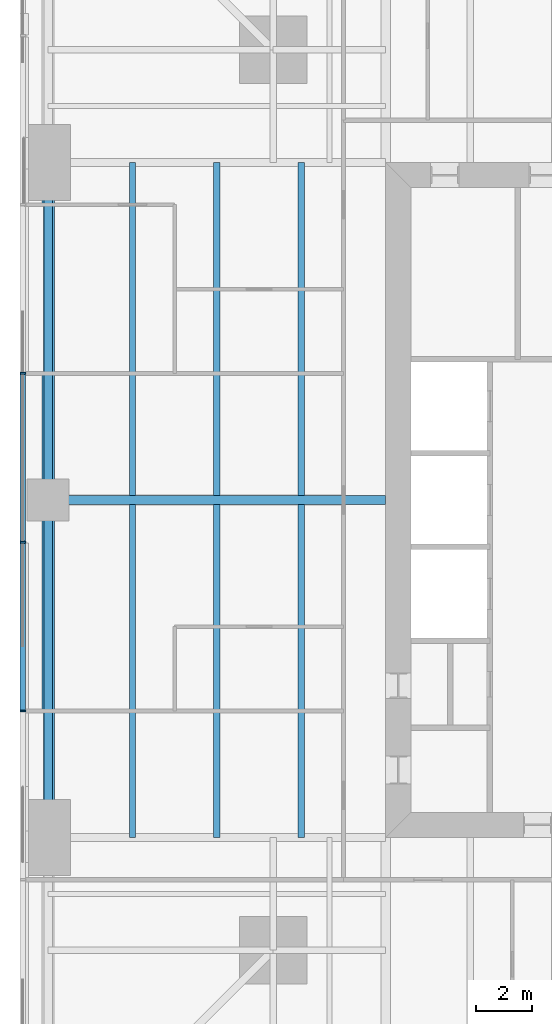
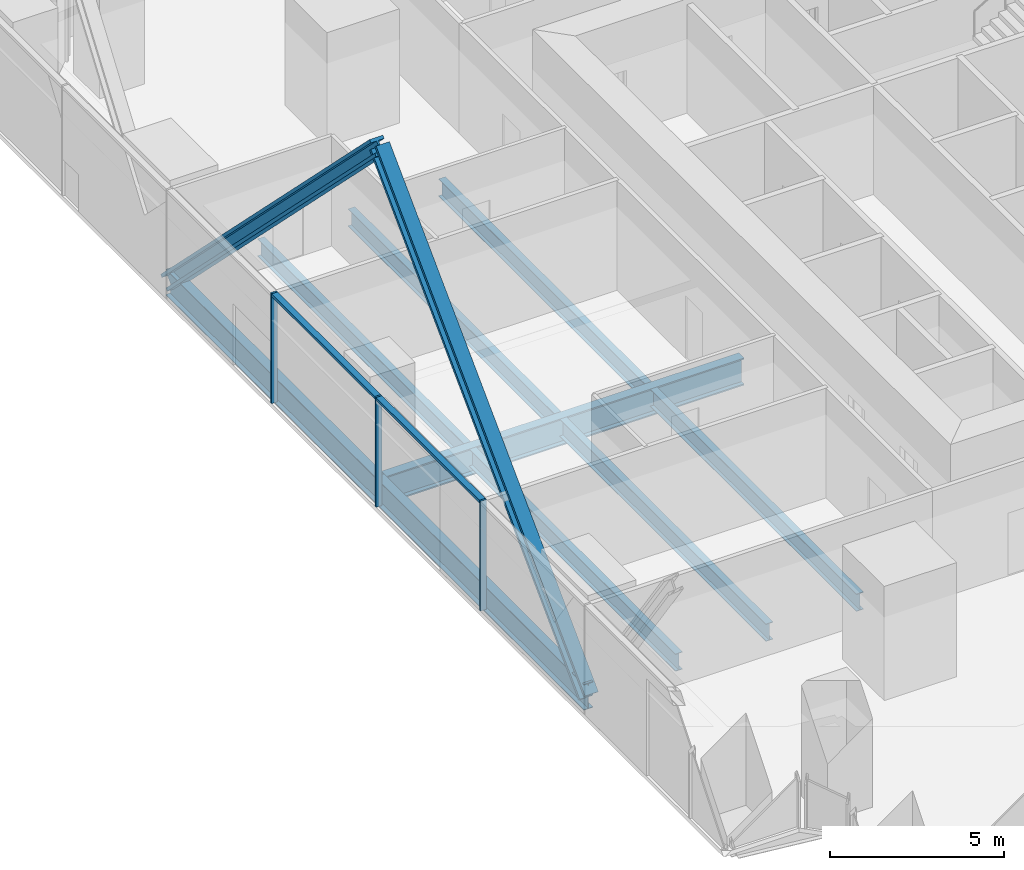
# One storey, part 4 of 13: 9 beams, 7 members, 1 element without a shape of its own.
"""IFC4 building model written with IfcOpenShell, lengths in metres."""

import ifcopenshell
import ifcopenshell.guid

model = None  # the IFC model being written
_history = None  # IfcOwnerHistory: only IFC2X3 demands one
_inside = {}  # id of a spatial element -> (the spatial element, [elements in it])
_under = {}  # id of a project, library or spatial element -> (it, [spatial elements below it])
_declared = {}  # id of a project -> (the project, [libraries it declares])
_typed = {}  # id of a type object -> (the type object, [elements of that type])
_made_of = {}  # id of a material, layer set ... -> (it, [elements and type objects made of it])


def new_model(schema):
    """Start an empty IFC model of exactly this schema.

    Asked for "IFC4X3", IfcOpenShell would pick the latest addendum, in which some entities
    have other attributes; the version numbers below select the first issue.
    IFC2X3 requires an IfcOwnerHistory on every rooted entity: one is made here for all.
    """
    global model, _history
    if schema == "IFC4X3":
        model = ifcopenshell.file(schema_version=(4, 3, 0, 0))
    else:
        model = ifcopenshell.file(schema=schema)
    _inside.clear()
    _under.clear()
    _declared.clear()
    _typed.clear()
    _made_of.clear()
    _history = None
    if model.schema == "IFC2X3":
        org = make("IfcOrganization", Name="unknown")
        user = make(
            "IfcPersonAndOrganization",
            ThePerson=make("IfcPerson", FamilyName="unknown"),
            TheOrganization=org,
        )
        app = make(
            "IfcApplication",
            ApplicationDeveloper=org,
            Version="unknown",
            ApplicationFullName="unknown",
            ApplicationIdentifier="unknown",
        )
        _history = make(
            "IfcOwnerHistory",
            OwningUser=user,
            OwningApplication=app,
            ChangeAction="ADDED",
            CreationDate=0,
        )
    return model


def make(cls, **values):
    """One entity of the class cls with the attributes given. An attribute that is None is left unset."""
    return model.create_entity(
        cls, **{name: value for name, value in values.items() if value is not None}
    )


def rooted(cls, **values):
    """An entity with a GlobalId (a new one), such as an element, a storey or a relation."""
    return make(cls, GlobalId=ifcopenshell.guid.new(), OwnerHistory=_history, **values)


def si_unit(unit_type, name, prefix=None):
    """IfcSIUnit, for example si_unit("LENGTHUNIT", "METRE", prefix="MILLI")."""
    return make("IfcSIUnit", UnitType=unit_type, Prefix=prefix, Name=name)


def assignment(units):
    """IfcUnitAssignment: the units of a project."""
    return None if units is None else make("IfcUnitAssignment", Units=units)


def point(xyz):
    """IfcCartesianPoint."""
    return None if xyz is None else make("IfcCartesianPoint", Coordinates=xyz)


def direction(xyz):
    """IfcDirection."""
    return None if xyz is None else make("IfcDirection", DirectionRatios=xyz)


def frame(location, z_axis=None, x_axis=None):
    """IfcAxis2Placement3D, a coordinate frame: its origin and axes. An axis left out is left unset."""
    return make(
        "IfcAxis2Placement3D",
        Location=point(location),
        Axis=direction(z_axis),
        RefDirection=direction(x_axis),
    )


def frame_2d(location, x_axis=None):
    """IfcAxis2Placement2D, a coordinate frame in the plane: its origin and x axis."""
    return make(
        "IfcAxis2Placement2D", Location=point(location), RefDirection=direction(x_axis)
    )


def origin():
    """The frame at (0, 0, 0) with its axes left unset."""
    return frame((0.0, 0.0, 0.0))


def origin_2d():
    """The frame at (0, 0) in the plane with its x axis left unset."""
    return frame_2d((0.0, 0.0))


def place(relative_to, where):
    """IfcLocalPlacement: puts the frame where relative to a parent placement (None: the world)."""
    return make(
        "IfcLocalPlacement", PlacementRelTo=relative_to, RelativePlacement=where
    )


def context(
    kind, dimensions, precision=None, world=None, true_north=None, identifier=None
):
    """IfcGeometricRepresentationContext, for example the 3D "Model" context."""
    return make(
        "IfcGeometricRepresentationContext",
        ContextIdentifier=identifier,
        ContextType=kind,
        CoordinateSpaceDimension=dimensions,
        Precision=precision,
        WorldCoordinateSystem=world,
        TrueNorth=true_north,
    )


def subcontext(parent, identifier, kind, view, scale=None):
    """IfcGeometricRepresentationSubContext, for example "Body" below "Model"."""
    return make(
        "IfcGeometricRepresentationSubContext",
        ContextIdentifier=identifier,
        ContextType=kind,
        ParentContext=parent,
        TargetScale=scale,
        TargetView=view,
    )


def project(units=None, contexts=None):
    """IfcProject with its units and contexts."""
    return rooted(
        "IfcProject",
        Name="project",
        RepresentationContexts=contexts,
        UnitsInContext=assignment(units),
    )


def spatial(cls, under=None, at=None, **own):
    """A site, building, storey or space (cls), placed at a placement, below another one or the project."""
    s = rooted(cls, ObjectPlacement=at, **own)
    if under is not None:
        _under.setdefault(under.id(), (under, []))[1].append(s)
    return s


def profile(cls, at=None, kind="AREA", **sizes):
    """A parametric profile (cls). Its sizes go by their IFC names, for example OverallWidth=200.0."""
    return make(cls, ProfileType=kind, Position=at, **sizes)


def rectangle(**sizes):
    """IfcRectangleProfileDef."""
    return profile("IfcRectangleProfileDef", **sizes)


def i_section(**sizes):
    """IfcIShapeProfileDef."""
    return profile("IfcIShapeProfileDef", **sizes)


def extrude(swept, where, along, depth):
    """IfcExtrudedAreaSolid: the profile swept, set in the frame where, extruded along a direction by depth."""
    return make(
        "IfcExtrudedAreaSolid",
        SweptArea=swept,
        Position=where,
        ExtrudedDirection=direction(along),
        Depth=depth,
    )


def shape(context_of_items, identifier, shape_type, items):
    """IfcShapeRepresentation: the items that make up one representation, for example the "Body"."""
    return make(
        "IfcShapeRepresentation",
        ContextOfItems=context_of_items,
        RepresentationIdentifier=identifier,
        RepresentationType=shape_type,
        Items=items,
    )


def material(Name=None, Category=None):
    """IfcMaterial."""
    return make("IfcMaterial", Name=Name, Category=Category)


def material_profile(
    of_material, cross_section, Name=None, Category=None, Priority=None
):
    """IfcMaterialProfile: a cross section and its material."""
    return make(
        "IfcMaterialProfile",
        Name=Name,
        Material=of_material,
        Profile=cross_section,
        Priority=Priority,
        Category=Category,
    )


def profile_set(profiles, Name=None, composite=None):
    """IfcMaterialProfileSet."""
    return make(
        "IfcMaterialProfileSet",
        Name=Name,
        MaterialProfiles=profiles,
        CompositeProfile=composite,
    )


def made_of(thing, what):
    """Note that an element or type object is made of a material, layer set ...; save() writes the relation."""
    if what is not None:
        _made_of.setdefault(what.id(), (what, []))[1].append(thing)
    return thing


def type_object(cls, material=None, **own):
    """A type object (cls), such as IfcWallType, which elements share."""
    return made_of(rooted(cls, **own), material)


def element(
    cls,
    number,
    at=None,
    inside=None,
    cuts=None,
    type_object=None,
    material=None,
    context=None,
    identifier="Body",
    shape_type=None,
    held_by="IfcProductDefinitionShape",
    body=None,
    shapes=None,
    **own,
):
    """One element of the class cls, such as IfcWall. Its Tag is "e" and its number.

    at: its placement. inside: the storey or other place that contains it. cuts: it is an
    opening in that element (IfcRelVoidsElement). A single representation is given by context,
    identifier, shape_type and body (its items); several are given by shapes. held_by: the class
    of the entity that holds the representations. save() writes the other relations.
    """
    e = rooted(cls, Tag="e%d" % number, ObjectPlacement=at, **own)
    if body is not None:
        shapes = [shape(context, identifier, shape_type, body)]
    if shapes is not None:
        e.Representation = make(held_by, Representations=shapes)
    if inside is not None:
        _inside.setdefault(inside.id(), (inside, []))[1].append(e)
    if cuts is not None:
        rooted(
            "IfcRelVoidsElement", RelatingBuildingElement=cuts, RelatedOpeningElement=e
        )
    if type_object is not None:
        _typed.setdefault(type_object.id(), (type_object, []))[1].append(e)
    return made_of(e, material)


def aggregate(whole, parts):
    """IfcRelAggregates: a whole, such as a stair, and the parts it consists of."""
    return rooted("IfcRelAggregates", RelatingObject=whole, RelatedObjects=parts)


def save(model, path):
    """Write the relations noted so far, then the file.

    IfcRelAggregates (storeys below a building ...), IfcRelContainedInSpatialStructure (elements
    in a storey), IfcRelDefinesByType, IfcRelAssociatesMaterial and IfcRelDeclares: one each for
    every whole, place, type object, material and project.
    """
    for whole, parts in _under.values():
        aggregate(whole, parts)
    for where, things in _inside.values():
        rooted(
            "IfcRelContainedInSpatialStructure",
            RelatedElements=things,
            RelatingStructure=where,
        )
    for kind, things in _typed.values():
        rooted("IfcRelDefinesByType", RelatedObjects=things, RelatingType=kind)
    for what, things in _made_of.values():
        rooted("IfcRelAssociatesMaterial", RelatedObjects=things, RelatingMaterial=what)
    for by, libraries in _declared.values():
        rooted("IfcRelDeclares", RelatingContext=by, RelatedDefinitions=libraries)
    model.write(path)


model = new_model("IFC4")

# Units and contexts
model_context = context("Model", 3, precision=1e-05, world=origin(), true_north=direction((0.0, 1.0)))
body_context = subcontext(model_context, "Body", "Model", "MODEL_VIEW")
ifc_project = project(units=[si_unit("LENGTHUNIT", "METRE"), si_unit("AREAUNIT", "SQUARE_METRE"), si_unit("VOLUMEUNIT", "CUBIC_METRE"), si_unit("PLANEANGLEUNIT", "RADIAN"), si_unit("MASSUNIT", "GRAM", prefix="KILO")], contexts=[model_context])

# Site, building, storey
site_placement = place(None, origin())
site = spatial("IfcSite", under=ifc_project, at=site_placement, CompositionType="ELEMENT")
building_placement = place(site_placement, origin())
building = spatial("IfcBuilding", under=site, at=building_placement, Name="Fenwick Lantern Interchange", CompositionType="ELEMENT")
storey_placement = place(building_placement, frame((0.0, 0.0, 55.0)))
storey = spatial("IfcBuildingStorey", under=building, at=storey_placement, Name="L12", CompositionType="ELEMENT", Elevation=55.0)

# Beams
ifc_material_1 = material(Name="Steel ASTM A992 Grade 50", Category="steel")
ifc_material_profile_1 = material_profile(ifc_material_1, i_section(OverallWidth=0.3046875, OverallDepth=0.911865234375, WebThickness=0.015869140625, FlangeThickness=0.02392578125, at=origin_2d()), Name="W36X150")
ifc_profile_set_1 = profile_set([ifc_material_profile_1], Name="Steel ASTM A992 Grade 50")
beam_type_1 = type_object("IfcBeamType", Name="EDGE BEAM W36X150", PredefinedType="SPANDREL", material=ifc_profile_set_1)
for number, where, z_axis, x_axis, name in (
    (1, (1.0, 37.0, -0.60595703125), (0.0, -1.0, 0.0), (1.0, 0.0, 0.0), "L12/FR/W/EB2"),
    (2, (1.0, 25.0, -0.60595703125), (0.0, -1.0, 0.0), (1.0, 0.0, 0.0), "L12/FR/W/EB3"),
):
    element("IfcBeam", number, at=place(storey_placement, frame(where, z_axis=z_axis, x_axis=x_axis)), inside=storey, type_object=beam_type_1, Name=name, PredefinedType="SPANDREL", context=body_context, shape_type="SweptSolid", body=[
        extrude(i_section(OverallWidth=0.3046875, OverallDepth=0.911865234375, WebThickness=0.015869140625, FlangeThickness=0.02392578125, at=origin_2d()), origin(), (0.0, 0.0, 1.0), 12.0),
    ])

# Members
ifc_material_profile_2 = material_profile(ifc_material_1, i_section(OverallWidth=0.44189453125, OverallDepth=0.53076171875, WebThickness=0.06591796875, FlangeThickness=0.105712890625, at=origin_2d()), Name="W14X605")
ifc_profile_set_2 = profile_set([ifc_material_profile_2], Name="Steel ASTM A992 Grade 50")
member_type_1 = type_object("IfcMemberType", Name="FACADE BRACE W14X605", PredefinedType="BRACE", material=ifc_profile_set_2)
for number, where, z_axis, x_axis, name in (
    (3, (1.0, 37.0, -0.60595703125), (0.0, -0.707106781187, 0.707106781187), (1.0, 0.0, 0.0), "L12/FB/W/A"),
    (4, (1.0, 13.0, -0.60595703125), (0.0, 0.707106781187, 0.707106781187), (-1.0, 0.0, 0.0), "L12/FB/W/B"),
):
    element("IfcMember", number, at=place(storey_placement, frame(where, z_axis=z_axis, x_axis=x_axis)), inside=storey, type_object=member_type_1, Name=name, PredefinedType="BRACE", context=body_context, shape_type="SweptSolid", body=[
        extrude(i_section(OverallWidth=0.44189453125, OverallDepth=0.53076171875, WebThickness=0.06591796875, FlangeThickness=0.105712890625, at=origin_2d()), origin(), (0.0, 0.0, 1.0), 16.970458984375),
    ])

# Beams
ifc_material_profile_3 = material_profile(ifc_material_1, i_section(OverallWidth=0.22900390625, OverallDepth=0.612060546875, WebThickness=0.011962890625, FlangeThickness=0.01953125, at=origin_2d()), Name="W24X84")
ifc_profile_set_3 = profile_set([ifc_material_profile_3], Name="Steel ASTM A992 Grade 50")
beam_type_2 = type_object("IfcBeamType", Name="FLOOR BEAM W24X84", PredefinedType="BEAM", material=ifc_profile_set_3)
for number, where, z_axis, x_axis, name in (
    (5, (4.0, 37.0, -0.4560546875), (0.0, -1.0, 0.0), (1.0, 0.0, 0.0), "L12/FR/W/B01"),
    (6, (7.0, 37.0, -0.4560546875), (0.0, -1.0, 0.0), (1.0, 0.0, 0.0), "L12/FR/W/B02"),
    (7, (10.0, 37.0, -0.4560546875), (0.0, -1.0, 0.0), (1.0, 0.0, 0.0), "L12/FR/W/B03"),
    (8, (4.0, 24.844970703125, -0.4560546875), (0.0, -1.0, 0.0), (1.0, 0.0, 0.0), "L12/FR/W/B04"),
    (9, (7.0, 24.844970703125, -0.4560546875), (0.0, -1.0, 0.0), (1.0, 0.0, 0.0), "L12/FR/W/B05"),
    (10, (10.0, 24.844970703125, -0.4560546875), (0.0, -1.0, 0.0), (1.0, 0.0, 0.0), "L12/FR/W/B06"),
):
    element("IfcBeam", number, at=place(storey_placement, frame(where, z_axis=z_axis, x_axis=x_axis)), inside=storey, type_object=beam_type_2, Name=name, PredefinedType="BEAM", context=body_context, shape_type="SweptSolid", body=[
        extrude(i_section(OverallWidth=0.22900390625, OverallDepth=0.612060546875, WebThickness=0.011962890625, FlangeThickness=0.01953125, at=origin_2d()), origin(), (0.0, 0.0, 1.0), 11.844970703125),
    ])
ifc_material_profile_4 = material_profile(ifc_material_1, i_section(OverallWidth=0.309814453125, OverallDepth=0.949951171875, WebThickness=0.0244140625, FlangeThickness=0.0439453125, at=origin_2d()), Name="W36X256")
ifc_profile_set_4 = profile_set([ifc_material_profile_4], Name="Steel ASTM A992 Grade 50")
beam_type_3 = type_object("IfcBeamType", Name="MOMENT-CONNECTED GIRDER W36X256", PredefinedType="BEAM", material=ifc_profile_set_4)
beam_placement = place(storey_placement, frame((1.0, 25.0, -0.625), z_axis=(1.0, 0.0, 0.0), x_axis=(0.0, 1.0, 0.0)))
element("IfcBeam", 11, at=beam_placement, inside=storey, type_object=beam_type_3, Name="L12/FR/W/R02", PredefinedType="BEAM", context=body_context, shape_type="SweptSolid", body=[
    extrude(i_section(OverallWidth=0.309814453125, OverallDepth=0.949951171875, WebThickness=0.0244140625, FlangeThickness=0.0439453125, at=origin_2d()), origin(), (0.0, 0.0, 1.0), 12.0),
])

# Curtain wall, members
ifc_material_2 = material(Name="Aluminium curtain wall frame", Category="aluminium")
curtain_wall_type = type_object("IfcCurtainWallType", Name="OFFICE CURTAIN WALL", PredefinedType="USERDEFINED", material=ifc_material_2)
curtain_wall_placement = place(storey_placement, origin())
curtain_wall = element("IfcCurtainWall", 12, at=curtain_wall_placement, inside=storey, type_object=curtain_wall_type, Name="Office curtain wall 13", ObjectType="OFFICE CURTAIN WALL", PredefinedType="USERDEFINED")
ifc_material_3 = material(Name="Aluminium extrusion", Category="aluminium")
ifc_material_profile_5 = material_profile(ifc_material_3, rectangle(XDim=0.199951171875, YDim=0.06494140625, at=origin_2d()), Name="OFFICE CURTAIN WALL MULLION 65 X 200")
ifc_profile_set_5 = profile_set([ifc_material_profile_5], Name="Aluminium extrusion")
member_type_2 = type_object("IfcMemberType", Name="OFFICE CURTAIN WALL MULLION 65 X 200", PredefinedType="MULLION", material=ifc_profile_set_5)
member_1_placement = place(storey_placement, frame((0.10009765625, 29.5, 0.0), z_axis=(0.0, 0.0, 1.0), x_axis=(1.0, 0.0, 0.0)))
member_1 = element("IfcMember", 13, at=member_1_placement, type_object=member_type_2, Name="L12/CW/13/M03", PredefinedType="MULLION", context=body_context, shape_type="SweptSolid", body=[
    extrude(rectangle(XDim=0.199951171875, YDim=0.06494140625, at=origin_2d()), origin(), (0.0, 0.0, 1.0), 3.85009765625),
])
member_2_placement = place(storey_placement, frame((0.10009765625, 23.5, 0.0), z_axis=(0.0, 0.0, 1.0), x_axis=(1.0, 0.0, 0.0)))
member_2 = element("IfcMember", 14, at=member_2_placement, type_object=member_type_2, Name="L12/CW/13/M04", PredefinedType="MULLION", context=body_context, shape_type="SweptSolid", body=[
    extrude(rectangle(XDim=0.199951171875, YDim=0.06494140625, at=origin_2d()), origin(), (0.0, 0.0, 1.0), 3.85009765625),
])
member_3_placement = place(storey_placement, frame((0.10009765625, 17.5, 0.0), z_axis=(0.0, 0.0, 1.0), x_axis=(1.0, 0.0, 0.0)))
member_3 = element("IfcMember", 15, at=member_3_placement, type_object=member_type_2, Name="L12/CW/13/M05", PredefinedType="MULLION", context=body_context, shape_type="SweptSolid", body=[
    extrude(rectangle(XDim=0.199951171875, YDim=0.06494140625, at=origin_2d()), origin(), (0.0, 0.0, 1.0), 3.85009765625),
])
ifc_material_profile_6 = material_profile(ifc_material_3, rectangle(XDim=0.199951171875, YDim=0.10009765625, at=origin_2d()), Name="OFFICE CURTAIN WALL TRANSOM 100 X 200")
ifc_profile_set_6 = profile_set([ifc_material_profile_6], Name="Aluminium extrusion")
member_type_3 = type_object("IfcMemberType", Name="OFFICE CURTAIN WALL TRANSOM 100 X 200", PredefinedType="MULLION", material=ifc_profile_set_6)
member_4_placement = place(storey_placement, frame((0.10009765625, 29.467529296875, 3.800048828125), z_axis=(0.0, -1.0, 0.0), x_axis=(1.0, 0.0, 0.0)))
member_4 = element("IfcMember", 16, at=member_4_placement, type_object=member_type_3, Name="L12/CW/13/T03", PredefinedType="MULLION", context=body_context, shape_type="SweptSolid", body=[
    extrude(rectangle(XDim=0.199951171875, YDim=0.10009765625, at=origin_2d()), origin(), (0.0, 0.0, 1.0), 5.93505859375),
])
member_5_placement = place(storey_placement, frame((0.10009765625, 23.467529296875, 3.800048828125), z_axis=(0.0, -1.0, 0.0), x_axis=(1.0, 0.0, 0.0)))
member_5 = element("IfcMember", 17, at=member_5_placement, type_object=member_type_3, Name="L12/CW/13/T04", PredefinedType="MULLION", context=body_context, shape_type="SweptSolid", body=[
    extrude(rectangle(XDim=0.199951171875, YDim=0.10009765625, at=origin_2d()), origin(), (0.0, 0.0, 1.0), 5.93505859375),
])
aggregate(curtain_wall, [member_1, member_2, member_3, member_4, member_5])

save(model, "model.ifc")
